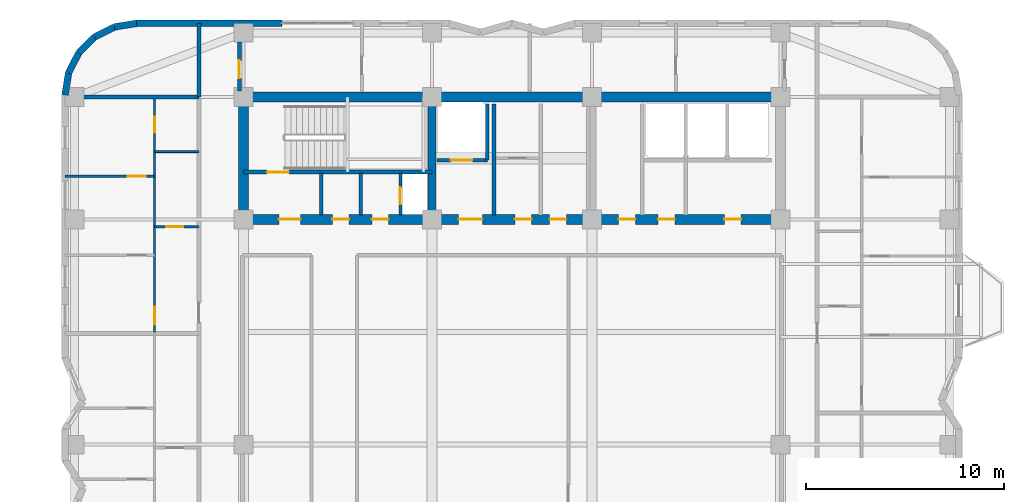
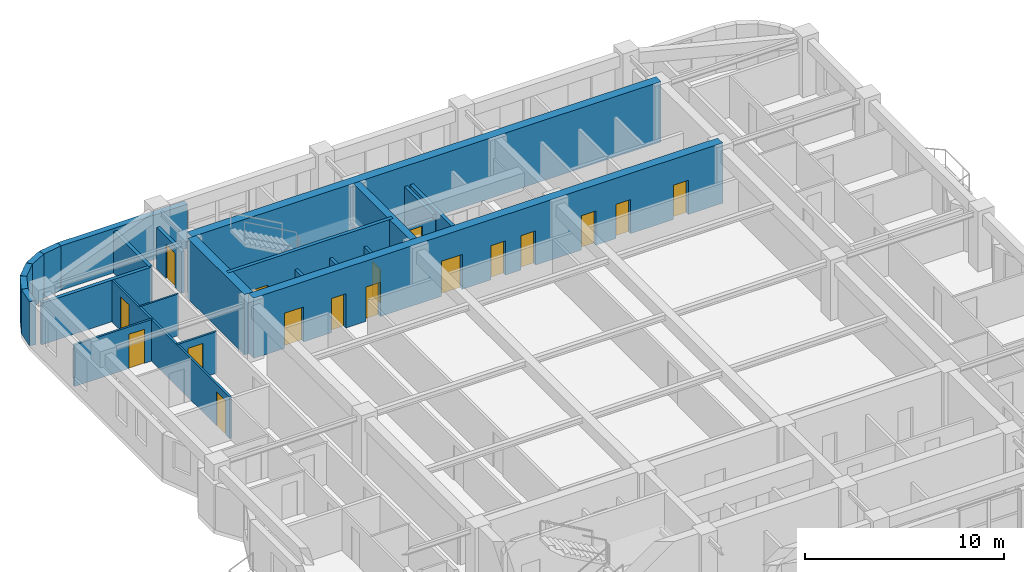
# One storey, part 8 of 12: 24 walls, 17 doors, 17 openings.
"""IFC4 building model written with IfcOpenShell, lengths in metres."""

import ifcopenshell
import ifcopenshell.guid

model = None  # the IFC model being written
_history = None  # IfcOwnerHistory: only IFC2X3 demands one
_inside = {}  # id of a spatial element -> (the spatial element, [elements in it])
_under = {}  # id of a project, library or spatial element -> (it, [spatial elements below it])
_declared = {}  # id of a project -> (the project, [libraries it declares])
_typed = {}  # id of a type object -> (the type object, [elements of that type])
_made_of = {}  # id of a material, layer set ... -> (it, [elements and type objects made of it])


def new_model(schema):
    """Start an empty IFC model of exactly this schema.

    Asked for "IFC4X3", IfcOpenShell would pick the latest addendum, in which some entities
    have other attributes; the version numbers below select the first issue.
    IFC2X3 requires an IfcOwnerHistory on every rooted entity: one is made here for all.
    """
    global model, _history
    if schema == "IFC4X3":
        model = ifcopenshell.file(schema_version=(4, 3, 0, 0))
    else:
        model = ifcopenshell.file(schema=schema)
    _inside.clear()
    _under.clear()
    _declared.clear()
    _typed.clear()
    _made_of.clear()
    _history = None
    if model.schema == "IFC2X3":
        org = make("IfcOrganization", Name="unknown")
        user = make(
            "IfcPersonAndOrganization",
            ThePerson=make("IfcPerson", FamilyName="unknown"),
            TheOrganization=org,
        )
        app = make(
            "IfcApplication",
            ApplicationDeveloper=org,
            Version="unknown",
            ApplicationFullName="unknown",
            ApplicationIdentifier="unknown",
        )
        _history = make(
            "IfcOwnerHistory",
            OwningUser=user,
            OwningApplication=app,
            ChangeAction="ADDED",
            CreationDate=0,
        )
    return model


def make(cls, **values):
    """One entity of the class cls with the attributes given. An attribute that is None is left unset."""
    return model.create_entity(
        cls, **{name: value for name, value in values.items() if value is not None}
    )


def rooted(cls, **values):
    """An entity with a GlobalId (a new one), such as an element, a storey or a relation."""
    return make(cls, GlobalId=ifcopenshell.guid.new(), OwnerHistory=_history, **values)


def si_unit(unit_type, name, prefix=None):
    """IfcSIUnit, for example si_unit("LENGTHUNIT", "METRE", prefix="MILLI")."""
    return make("IfcSIUnit", UnitType=unit_type, Prefix=prefix, Name=name)


def assignment(units):
    """IfcUnitAssignment: the units of a project."""
    return None if units is None else make("IfcUnitAssignment", Units=units)


def point(xyz):
    """IfcCartesianPoint."""
    return None if xyz is None else make("IfcCartesianPoint", Coordinates=xyz)


def direction(xyz):
    """IfcDirection."""
    return None if xyz is None else make("IfcDirection", DirectionRatios=xyz)


def frame(location, z_axis=None, x_axis=None):
    """IfcAxis2Placement3D, a coordinate frame: its origin and axes. An axis left out is left unset."""
    return make(
        "IfcAxis2Placement3D",
        Location=point(location),
        Axis=direction(z_axis),
        RefDirection=direction(x_axis),
    )


def frame_2d(location, x_axis=None):
    """IfcAxis2Placement2D, a coordinate frame in the plane: its origin and x axis."""
    return make(
        "IfcAxis2Placement2D", Location=point(location), RefDirection=direction(x_axis)
    )


def origin():
    """The frame at (0, 0, 0) with its axes left unset."""
    return frame((0.0, 0.0, 0.0))


def place(relative_to, where):
    """IfcLocalPlacement: puts the frame where relative to a parent placement (None: the world)."""
    return make(
        "IfcLocalPlacement", PlacementRelTo=relative_to, RelativePlacement=where
    )


def context(
    kind, dimensions, precision=None, world=None, true_north=None, identifier=None
):
    """IfcGeometricRepresentationContext, for example the 3D "Model" context."""
    return make(
        "IfcGeometricRepresentationContext",
        ContextIdentifier=identifier,
        ContextType=kind,
        CoordinateSpaceDimension=dimensions,
        Precision=precision,
        WorldCoordinateSystem=world,
        TrueNorth=true_north,
    )


def subcontext(parent, identifier, kind, view, scale=None):
    """IfcGeometricRepresentationSubContext, for example "Body" below "Model"."""
    return make(
        "IfcGeometricRepresentationSubContext",
        ContextIdentifier=identifier,
        ContextType=kind,
        ParentContext=parent,
        TargetScale=scale,
        TargetView=view,
    )


def project(units=None, contexts=None):
    """IfcProject with its units and contexts."""
    return rooted(
        "IfcProject",
        Name="project",
        RepresentationContexts=contexts,
        UnitsInContext=assignment(units),
    )


def spatial(cls, under=None, at=None, **own):
    """A site, building, storey or space (cls), placed at a placement, below another one or the project."""
    s = rooted(cls, ObjectPlacement=at, **own)
    if under is not None:
        _under.setdefault(under.id(), (under, []))[1].append(s)
    return s


def profile(cls, at=None, kind="AREA", **sizes):
    """A parametric profile (cls). Its sizes go by their IFC names, for example OverallWidth=200.0."""
    return make(cls, ProfileType=kind, Position=at, **sizes)


def rectangle(**sizes):
    """IfcRectangleProfileDef."""
    return profile("IfcRectangleProfileDef", **sizes)


def extrude(swept, where, along, depth):
    """IfcExtrudedAreaSolid: the profile swept, set in the frame where, extruded along a direction by depth."""
    return make(
        "IfcExtrudedAreaSolid",
        SweptArea=swept,
        Position=where,
        ExtrudedDirection=direction(along),
        Depth=depth,
    )


def shape(context_of_items, identifier, shape_type, items):
    """IfcShapeRepresentation: the items that make up one representation, for example the "Body"."""
    return make(
        "IfcShapeRepresentation",
        ContextOfItems=context_of_items,
        RepresentationIdentifier=identifier,
        RepresentationType=shape_type,
        Items=items,
    )


def material(Name=None, Category=None):
    """IfcMaterial."""
    return make("IfcMaterial", Name=Name, Category=Category)


def layer(
    of_material, thickness, ventilated=None, Name=None, Category=None, Priority=None
):
    """IfcMaterialLayer: one layer of a wall or slab, of a material (None: an air gap)."""
    return make(
        "IfcMaterialLayer",
        Material=of_material,
        LayerThickness=thickness,
        IsVentilated=ventilated,
        Name=Name,
        Category=Category,
        Priority=Priority,
    )


def layer_set(layers, Name=None):
    """IfcMaterialLayerSet."""
    return make("IfcMaterialLayerSet", MaterialLayers=layers, LayerSetName=Name)


def made_of(thing, what):
    """Note that an element or type object is made of a material, layer set ...; save() writes the relation."""
    if what is not None:
        _made_of.setdefault(what.id(), (what, []))[1].append(thing)
    return thing


def type_object(cls, material=None, **own):
    """A type object (cls), such as IfcWallType, which elements share."""
    return made_of(rooted(cls, **own), material)


def element(
    cls,
    number,
    at=None,
    inside=None,
    cuts=None,
    type_object=None,
    material=None,
    context=None,
    identifier="Body",
    shape_type=None,
    held_by="IfcProductDefinitionShape",
    body=None,
    shapes=None,
    **own,
):
    """One element of the class cls, such as IfcWall. Its Tag is "e" and its number.

    at: its placement. inside: the storey or other place that contains it. cuts: it is an
    opening in that element (IfcRelVoidsElement). A single representation is given by context,
    identifier, shape_type and body (its items); several are given by shapes. held_by: the class
    of the entity that holds the representations. save() writes the other relations.
    """
    e = rooted(cls, Tag="e%d" % number, ObjectPlacement=at, **own)
    if body is not None:
        shapes = [shape(context, identifier, shape_type, body)]
    if shapes is not None:
        e.Representation = make(held_by, Representations=shapes)
    if inside is not None:
        _inside.setdefault(inside.id(), (inside, []))[1].append(e)
    if cuts is not None:
        rooted(
            "IfcRelVoidsElement", RelatingBuildingElement=cuts, RelatedOpeningElement=e
        )
    if type_object is not None:
        _typed.setdefault(type_object.id(), (type_object, []))[1].append(e)
    return made_of(e, material)


def fill(opening, filler):
    """IfcRelFillsElement: the door or window that sits in an opening."""
    return rooted(
        "IfcRelFillsElement",
        RelatingOpeningElement=opening,
        RelatedBuildingElement=filler,
    )


def aggregate(whole, parts):
    """IfcRelAggregates: a whole, such as a stair, and the parts it consists of."""
    return rooted("IfcRelAggregates", RelatingObject=whole, RelatedObjects=parts)


def save(model, path):
    """Write the relations noted so far, then the file.

    IfcRelAggregates (storeys below a building ...), IfcRelContainedInSpatialStructure (elements
    in a storey), IfcRelDefinesByType, IfcRelAssociatesMaterial and IfcRelDeclares: one each for
    every whole, place, type object, material and project.
    """
    for whole, parts in _under.values():
        aggregate(whole, parts)
    for where, things in _inside.values():
        rooted(
            "IfcRelContainedInSpatialStructure",
            RelatedElements=things,
            RelatingStructure=where,
        )
    for kind, things in _typed.values():
        rooted("IfcRelDefinesByType", RelatedObjects=things, RelatingType=kind)
    for what, things in _made_of.values():
        rooted("IfcRelAssociatesMaterial", RelatedObjects=things, RelatingMaterial=what)
    for by, libraries in _declared.values():
        rooted("IfcRelDeclares", RelatingContext=by, RelatedDefinitions=libraries)
    model.write(path)


model = new_model("IFC4")

# Units and contexts
model_context = context("Model", 3, precision=1e-05, world=origin(), true_north=direction((0.0, 1.0)))
body_context = subcontext(model_context, "Body", "Model", "MODEL_VIEW")
ifc_project = project(units=[si_unit("LENGTHUNIT", "METRE"), si_unit("AREAUNIT", "SQUARE_METRE"), si_unit("VOLUMEUNIT", "CUBIC_METRE"), si_unit("PLANEANGLEUNIT", "RADIAN"), si_unit("MASSUNIT", "GRAM", prefix="KILO")], contexts=[model_context])

# Site, building, storey
site_placement = place(None, origin())
site = spatial("IfcSite", under=ifc_project, at=site_placement, CompositionType="ELEMENT")
building_placement = place(site_placement, origin())
building = spatial("IfcBuilding", under=site, at=building_placement, Name="Svetorya Sky Lyceum", CompositionType="ELEMENT")
storey_placement = place(building_placement, frame((0.0, 0.0, 158.89990234375)))
storey = spatial("IfcBuildingStorey", under=building, at=storey_placement, Name="L39", CompositionType="ELEMENT", Elevation=158.89990234375)

# Walls
ifc_material_1 = material(Name="Concrete C40/50", Category="concrete")
ifc_layer_1 = layer(ifc_material_1, 0.39990234375)
ifc_layer_set_1 = layer_set([ifc_layer_1], Name="Concrete C40/50")
wall_type_1 = type_object("IfcWallType", Name="WL-CORE-400", PredefinedType="SHEAR", material=ifc_layer_set_1)
wall_1_placement = place(storey_placement, frame((35.14990234375, 39.85009765625, 0.0), z_axis=(0.0, 0.0, 1.0), x_axis=(0.0, 1.0, 0.0)))
element("IfcWall", 1, at=wall_1_placement, inside=storey, type_object=wall_type_1, Name="L39 NC Internal Shear Web WEB1", PredefinedType="SHEAR", context=body_context, shape_type="SweptSolid", body=[
    extrude(rectangle(XDim=5.699951171875, YDim=0.39990234375, at=frame_2d((2.85009765625, 0.0))), origin(), (0.0, 0.0, 1.0), 3.7001953125),
])
ifc_material_2 = material(Name="Concrete C50/60", Category="concrete")
ifc_layer_2 = layer(ifc_material_2, 0.5)
ifc_layer_set_2 = layer_set([ifc_layer_2], Name="Concrete C50/60")
wall_type_2 = type_object("IfcWallType", Name="WL-CORE-500", PredefinedType="SHEAR", material=ifc_layer_set_2)
wall_2_placement = place(storey_placement, frame((25.60009765625, 45.800048828125, 0.0), z_axis=(0.0, 0.0, 1.0), x_axis=(1.0, 0.0, 0.0)))
element("IfcWall", 2, at=wall_2_placement, inside=storey, type_object=wall_type_2, Name="L39 NC Outer Core Shear Wall", PredefinedType="SHEAR", context=body_context, shape_type="SweptSolid", body=[
    extrude(rectangle(XDim=27.199951171875, YDim=0.5, at=frame_2d((13.60009765625, 0.0))), origin(), (0.0, 0.0, 1.0), 3.7001953125),
])
wall_3_placement = place(storey_placement, frame((25.60009765625, 39.85009765625, 0.0), z_axis=(0.0, 0.0, 1.0), x_axis=(0.0, 1.0, 0.0)))
element("IfcWall", 3, at=wall_3_placement, inside=storey, type_object=wall_type_2, Name="L39 NC West Core Shear Wall", PredefinedType="SHEAR", context=body_context, shape_type="SweptSolid", body=[
    extrude(rectangle(XDim=5.699951171875, YDim=0.5, at=frame_2d((2.85009765625, 0.0))), origin(), (0.0, 0.0, 1.0), 3.7001953125),
])

# Wall, openings, doors
wall_4_placement = place(storey_placement, frame((52.800048828125, 39.60009765625, 0.0), z_axis=(0.0, 0.0, 1.0), x_axis=(-1.0, 0.0, 0.0)))
wall_4 = element("IfcWall", 4, at=wall_4_placement, inside=storey, type_object=wall_type_2, Name="L39 NC Inner Core Shear Wall", PredefinedType="SHEAR", context=body_context, shape_type="SweptSolid", body=[
    extrude(rectangle(XDim=27.199951171875, YDim=0.5, at=frame_2d((13.60009765625, 0.0))), origin(), (0.0, 0.0, 1.0), 3.7001953125),
])
opening_1_placement = place(wall_4_placement, frame((24.300048828125, 0.0, 0.0)))
opening_1 = element("IfcOpeningElement", 5, at=opening_1_placement, cuts=wall_4, Name="Opening D-ST1", PredefinedType="OPENING", context=body_context, shape_type="SweptSolid", body=[
    extrude(rectangle(XDim=1.10009765625, YDim=2.14990234375, at=frame_2d((0.550048828125, 1.074951171875))), frame((0.0, 0.260009765625, 0.0), z_axis=(0.0, -1.0, 0.0), x_axis=(1.0, 0.0, 0.0)), (0.0, 0.0, 1.0), 0.52001953125),
])
opening_2_placement = place(wall_4_placement, frame((21.85009765625, 0.0, 0.0)))
opening_2 = element("IfcOpeningElement", 6, at=opening_2_placement, cuts=wall_4, Name="Opening D-CWC1", PredefinedType="OPENING", context=body_context, shape_type="SweptSolid", body=[
    extrude(rectangle(XDim=0.85009765625, YDim=2.10009765625, at=frame_2d((0.425048828125, 1.050048828125))), frame((0.0, 0.260009765625, 0.0), z_axis=(0.0, -1.0, 0.0), x_axis=(1.0, 0.0, 0.0)), (0.0, 0.0, 1.0), 0.52001953125),
])
opening_3_placement = place(wall_4_placement, frame((19.85009765625, 0.0, 0.0)))
opening_3 = element("IfcOpeningElement", 7, at=opening_3_placement, cuts=wall_4, Name="Opening D-CWC1", PredefinedType="OPENING", context=body_context, shape_type="SweptSolid", body=[
    extrude(rectangle(XDim=0.85009765625, YDim=2.10009765625, at=frame_2d((0.425048828125, 1.050048828125))), frame((0.0, 0.260009765625, 0.0), z_axis=(0.0, -1.0, 0.0), x_axis=(1.0, 0.0, 0.0)), (0.0, 0.0, 1.0), 0.52001953125),
])
opening_4_placement = place(wall_4_placement, frame((15.10009765625, 0.0, 0.0)))
opening_4 = element("IfcOpeningElement", 8, at=opening_4_placement, cuts=wall_4, Name="Opening D-FL1", PredefinedType="OPENING", context=body_context, shape_type="SweptSolid", body=[
    extrude(rectangle(XDim=1.199951171875, YDim=2.14990234375, at=frame_2d((0.60009765625, 1.074951171875))), frame((0.0, 0.260009765625, 0.0), z_axis=(0.0, -1.0, 0.0), x_axis=(1.0, 0.0, 0.0)), (0.0, 0.0, 1.0), 0.52001953125),
])
opening_5_placement = place(wall_4_placement, frame((12.60009765625, 0.0, 0.0)))
opening_5 = element("IfcOpeningElement", 9, at=opening_5_placement, cuts=wall_4, Name="Opening D-CWC1", PredefinedType="OPENING", context=body_context, shape_type="SweptSolid", body=[
    extrude(rectangle(XDim=0.85009765625, YDim=2.10009765625, at=frame_2d((0.425048828125, 1.050048828125))), frame((0.0, 0.260009765625, 0.0), z_axis=(0.0, -1.0, 0.0), x_axis=(1.0, 0.0, 0.0)), (0.0, 0.0, 1.0), 0.52001953125),
])
opening_6_placement = place(wall_4_placement, frame((10.85009765625, 0.0, 0.0)))
opening_6 = element("IfcOpeningElement", 10, at=opening_6_placement, cuts=wall_4, Name="Opening D-CWC1", PredefinedType="OPENING", context=body_context, shape_type="SweptSolid", body=[
    extrude(rectangle(XDim=0.85009765625, YDim=2.10009765625, at=frame_2d((0.425048828125, 1.050048828125))), frame((0.0, 0.260009765625, 0.0), z_axis=(0.0, -1.0, 0.0), x_axis=(1.0, 0.0, 0.0)), (0.0, 0.0, 1.0), 0.52001953125),
])
opening_7_placement = place(wall_4_placement, frame((7.35009765625, 0.0, 0.0)))
opening_7 = element("IfcOpeningElement", 11, at=opening_7_placement, cuts=wall_4, Name="Opening D-CWC1", PredefinedType="OPENING", context=body_context, shape_type="SweptSolid", body=[
    extrude(rectangle(XDim=0.85009765625, YDim=2.10009765625, at=frame_2d((0.425048828125, 1.050048828125))), frame((0.0, 0.260009765625, 0.0), z_axis=(0.0, -1.0, 0.0), x_axis=(1.0, 0.0, 0.0)), (0.0, 0.0, 1.0), 0.52001953125),
])
opening_8_placement = place(wall_4_placement, frame((5.35009765625, 0.0, 0.0)))
opening_8 = element("IfcOpeningElement", 12, at=opening_8_placement, cuts=wall_4, Name="Opening D-CWC1", PredefinedType="OPENING", context=body_context, shape_type="SweptSolid", body=[
    extrude(rectangle(XDim=0.85009765625, YDim=2.10009765625, at=frame_2d((0.425048828125, 1.050048828125))), frame((0.0, 0.260009765625, 0.0), z_axis=(0.0, -1.0, 0.0), x_axis=(1.0, 0.0, 0.0)), (0.0, 0.0, 1.0), 0.52001953125),
])
opening_9_placement = place(wall_4_placement, frame((2.0, 0.0, 0.0)))
opening_9 = element("IfcOpeningElement", 13, at=opening_9_placement, cuts=wall_4, Name="Opening D-CWC1", PredefinedType="OPENING", context=body_context, shape_type="SweptSolid", body=[
    extrude(rectangle(XDim=0.85009765625, YDim=2.10009765625, at=frame_2d((0.425048828125, 1.050048828125))), frame((0.0, 0.260009765625, 0.0), z_axis=(0.0, -1.0, 0.0), x_axis=(1.0, 0.0, 0.0)), (0.0, 0.0, 1.0), 0.52001953125),
])
ifc_material_3 = material(Name="Fire-rated galvanized steel core service closet door", Category="steel")
door_type_1 = type_object("IfcDoorType", Name="DR-CWET-850", OperationType="SINGLE_SWING_LEFT", PredefinedType="DOOR", material=ifc_material_3)
door_1_placement = place(opening_2_placement, origin())
door_1 = element("IfcDoor", 14, at=door_1_placement, inside=storey, type_object=door_type_1, Name="L39 North Cleaner Door", OperationType="SINGLE_SWING_RIGHT", OverallHeight=2.10009765625, OverallWidth=0.85009765625, PredefinedType="DOOR", context=body_context, shape_type="SweptSolid", body=[
    extrude(rectangle(XDim=0.85009765625, YDim=2.10009765625, at=frame_2d((0.425048828125, 1.050048828125))), frame((0.0, 0.02490234375, 0.0), z_axis=(0.0, -1.0, 0.0), x_axis=(1.0, 0.0, 0.0)), (0.0, 0.0, 1.0), 0.050048828125),
])
fill(opening_2, door_1)
door_2_placement = place(opening_3_placement, origin())
door_2 = element("IfcDoor", 15, at=door_2_placement, inside=storey, type_object=door_type_1, Name="L39 North Meter Door", OperationType="SINGLE_SWING_LEFT", OverallHeight=2.10009765625, OverallWidth=0.85009765625, PredefinedType="DOOR", context=body_context, shape_type="SweptSolid", body=[
    extrude(rectangle(XDim=0.85009765625, YDim=2.10009765625, at=frame_2d((0.425048828125, 1.050048828125))), frame((0.0, 0.02490234375, 0.0), z_axis=(0.0, -1.0, 0.0), x_axis=(1.0, 0.0, 0.0)), (0.0, 0.0, 1.0), 0.050048828125),
])
fill(opening_3, door_2)
door_3_placement = place(opening_5_placement, origin())
door_3 = element("IfcDoor", 16, at=door_3_placement, inside=storey, type_object=door_type_1, Name="L39 Cleaner Vestibule Door", OperationType="SINGLE_SWING_LEFT", OverallHeight=2.10009765625, OverallWidth=0.85009765625, PredefinedType="DOOR", context=body_context, shape_type="SweptSolid", body=[
    extrude(rectangle(XDim=0.85009765625, YDim=2.10009765625, at=frame_2d((0.425048828125, 1.050048828125))), frame((0.0, 0.02490234375, 0.0), z_axis=(0.0, -1.0, 0.0), x_axis=(1.0, 0.0, 0.0)), (0.0, 0.0, 1.0), 0.050048828125),
])
fill(opening_5, door_3)
door_4_placement = place(opening_6_placement, origin())
door_4 = element("IfcDoor", 17, at=door_4_placement, inside=storey, type_object=door_type_1, Name="L39 Upper Pram Store Door", OperationType="SINGLE_SWING_RIGHT", OverallHeight=2.10009765625, OverallWidth=0.85009765625, PredefinedType="DOOR", context=body_context, shape_type="SweptSolid", body=[
    extrude(rectangle(XDim=0.85009765625, YDim=2.10009765625, at=frame_2d((0.425048828125, 1.050048828125))), frame((0.0, 0.02490234375, 0.0), z_axis=(0.0, -1.0, 0.0), x_axis=(1.0, 0.0, 0.0)), (0.0, 0.0, 1.0), 0.050048828125),
])
fill(opening_6, door_4)
door_5_placement = place(opening_7_placement, origin())
door_5 = element("IfcDoor", 18, at=door_5_placement, inside=storey, type_object=door_type_1, Name="L39 High-Zone Utility Room Door", OperationType="SINGLE_SWING_LEFT", OverallHeight=2.10009765625, OverallWidth=0.85009765625, PredefinedType="DOOR", context=body_context, shape_type="SweptSolid", body=[
    extrude(rectangle(XDim=0.85009765625, YDim=2.10009765625, at=frame_2d((0.425048828125, 1.050048828125))), frame((0.0, 0.02490234375, 0.0), z_axis=(0.0, -1.0, 0.0), x_axis=(1.0, 0.0, 0.0)), (0.0, 0.0, 1.0), 0.050048828125),
])
fill(opening_7, door_5)
door_6_placement = place(opening_8_placement, origin())
door_6 = element("IfcDoor", 19, at=door_6_placement, inside=storey, type_object=door_type_1, Name="L39 North Electrical Door", OperationType="SINGLE_SWING_LEFT", OverallHeight=2.10009765625, OverallWidth=0.85009765625, PredefinedType="DOOR", context=body_context, shape_type="SweptSolid", body=[
    extrude(rectangle(XDim=0.85009765625, YDim=2.10009765625, at=frame_2d((0.425048828125, 1.050048828125))), frame((0.0, 0.02490234375, 0.0), z_axis=(0.0, -1.0, 0.0), x_axis=(1.0, 0.0, 0.0)), (0.0, 0.0, 1.0), 0.050048828125),
])
fill(opening_8, door_6)
door_7_placement = place(opening_9_placement, origin())
door_7 = element("IfcDoor", 20, at=door_7_placement, inside=storey, type_object=door_type_1, Name="L39 North Pram Door", OperationType="SINGLE_SWING_RIGHT", OverallHeight=2.10009765625, OverallWidth=0.85009765625, PredefinedType="DOOR", context=body_context, shape_type="SweptSolid", body=[
    extrude(rectangle(XDim=0.85009765625, YDim=2.10009765625, at=frame_2d((0.425048828125, 1.050048828125))), frame((0.0, 0.02490234375, 0.0), z_axis=(0.0, -1.0, 0.0), x_axis=(1.0, 0.0, 0.0)), (0.0, 0.0, 1.0), 0.050048828125),
])
fill(opening_9, door_7)
ifc_material_4 = material(Name="Powder-coated insulated galvanized stair fire door")
door_type_2 = type_object("IfcDoorType", Name="DR-FIRE-1100", OperationType="SINGLE_SWING_LEFT", PredefinedType="DOOR", material=ifc_material_4)
door_8_placement = place(opening_1_placement, origin())
door_8 = element("IfcDoor", 21, at=door_8_placement, inside=storey, type_object=door_type_2, Name="L39 North Stair Airlock Door", OperationType="SINGLE_SWING_LEFT", OverallHeight=2.14990234375, OverallWidth=1.10009765625, PredefinedType="DOOR", context=body_context, shape_type="SweptSolid", body=[
    extrude(rectangle(XDim=1.10009765625, YDim=2.14990234375, at=frame_2d((0.550048828125, 1.074951171875))), frame((0.0, 0.02490234375, 0.0), z_axis=(0.0, -1.0, 0.0), x_axis=(1.0, 0.0, 0.0)), (0.0, 0.0, 1.0), 0.050048828125),
])
fill(opening_1, door_8)
ifc_material_5 = material(Name="Powder-coated insulated galvanized fire door")
door_type_3 = type_object("IfcDoorType", Name="DR-FIRE-1200", OperationType="SINGLE_SWING_LEFT", PredefinedType="DOOR", material=ifc_material_5)
door_9_placement = place(opening_4_placement, origin())
door_9 = element("IfcDoor", 22, at=door_9_placement, inside=storey, type_object=door_type_3, Name="L39 North Firefighting Lift Lobby Door", OperationType="SINGLE_SWING_RIGHT", OverallHeight=2.14990234375, OverallWidth=1.199951171875, PredefinedType="DOOR", context=body_context, shape_type="SweptSolid", body=[
    extrude(rectangle(XDim=1.199951171875, YDim=2.14990234375, at=frame_2d((0.60009765625, 1.074951171875))), frame((0.0, 0.02490234375, 0.0), z_axis=(0.0, -1.0, 0.0), x_axis=(1.0, 0.0, 0.0)), (0.0, 0.0, 1.0), 0.050048828125),
])
fill(opening_4, door_9)

# Walls
ifc_material_6 = material(Name="Putilovo limestone rainscreen on autoclaved cellular masonry", Category="masonry")
ifc_layer_3 = layer(ifc_material_6, 0.340087890625)
ifc_layer_set_3 = layer_set([ifc_layer_3], Name="Putilovo limestone rainscreen on autoclaved cellular masonry")
wall_type_3 = type_object("IfcWallType", Name="WL-EXT-340", PredefinedType="SOLIDWALL", material=ifc_layer_set_3)
wall_5_placement = place(storey_placement, frame((27.550048828125, 49.530029296875, 0.0), z_axis=(0.0, 0.0, 1.0), x_axis=(-1.0, 0.0, 0.0)))
element("IfcWall", 23, at=wall_5_placement, inside=storey, type_object=wall_type_3, Name="L39 Limestone Exterior Wall 34B", PredefinedType="SOLIDWALL", context=body_context, shape_type="SweptSolid", body=[
    extrude(rectangle(XDim=7.35009765625, YDim=0.340087890625, at=frame_2d((3.675048828125, 0.0))), origin(), (0.0, 0.0, 1.0), 2.72021484375),
])
wall_6_placement = place(storey_placement, frame((20.199951171875, 49.530029296875, 0.0), z_axis=(0.0, 0.0, 1.0), x_axis=(-0.987675651954, -0.156514556949, 0.0)))
element("IfcWall", 24, at=wall_6_placement, inside=storey, type_object=wall_type_3, Name="L39 Limestone Exterior Wall 35M", PredefinedType="SOLIDWALL", context=body_context, shape_type="SweptSolid", body=[
    extrude(rectangle(XDim=1.135498046875, YDim=0.340087890625, at=frame_2d((0.56787109375, 0.0))), origin(), (0.0, 0.0, 1.0), 2.72021484375),
])
for number, where, z_axis, x_axis, name in (
    (25, (19.078369140625, 49.352294921875, 0.0), (0.0, 0.0, 1.0), (-0.891005044957, -0.453993402883, 0.0), "L39 Limestone Exterior Wall 36M"),
    (26, (18.06640625, 48.836669921875, 0.0), (0.0, 0.0, 1.0), (-0.707214252388, -0.706999293649, 0.0), "L39 Limestone Exterior Wall 37M"),
    (27, (17.26318359375, 48.03369140625, 0.0), (0.0, 0.0, 1.0), (-0.453822724105, -0.891091990249, 0.0), "L39 Limestone Exterior Wall 38M"),
    (28, (16.747802734375, 47.021728515625, 0.0), (0.0, 0.0, 1.0), (-0.156481329164, -0.987680916907, 0.0), "L39 Limestone Exterior Wall 39M"),
):
    element("IfcWall", number, at=place(storey_placement, frame(where, z_axis=z_axis, x_axis=x_axis)), inside=storey, type_object=wall_type_3, Name=name, PredefinedType="SOLIDWALL", context=body_context, shape_type="SweptSolid", body=[
        extrude(rectangle(XDim=1.1357421875, YDim=0.340087890625, at=frame_2d((0.56787109375, 0.0))), origin(), (0.0, 0.0, 1.0), 2.72021484375),
    ])
ifc_material_7 = material(Name="Galvanized stud partition with moisture-resistant board", Category="gypsum")
ifc_layer_4 = layer(ifc_material_7, 0.10009765625)
ifc_layer_set_4 = layer_set([ifc_layer_4], Name="Galvanized stud partition with moisture-resistant board")
wall_type_4 = type_object("IfcWallType", Name="WL-PART-100", PredefinedType="PARTITIONING", material=ifc_layer_set_4)
wall_7_placement = place(storey_placement, frame((21.10009765625, 43.031982421875, 0.0), z_axis=(0.0, 0.0, 1.0), x_axis=(1.0, 0.0, 0.0)))
element("IfcWall", 29, at=wall_7_placement, inside=storey, type_object=wall_type_4, Name="L39 Interior Partition W3-WH2", PredefinedType="PARTITIONING", context=body_context, shape_type="SweptSolid", body=[
    extrude(rectangle(XDim=2.25, YDim=0.10009765625, at=frame_2d((1.125, 0.0))), origin(), (0.0, 0.0, 1.0), 2.550048828125),
])

# Wall, opening, door
ifc_material_8 = material(Name="Twin-stud galvanized framing with double fireboard", Category="gypsum")
ifc_layer_5 = layer(ifc_material_8, 0.1201171875)
ifc_layer_set_5 = layer_set([ifc_layer_5], Name="Twin-stud galvanized framing with double fireboard")
wall_type_5 = type_object("IfcWallType", Name="WL-PART-120", PredefinedType="PARTITIONING", material=ifc_layer_set_5)
wall_8_placement = place(storey_placement, frame((21.10009765625, 39.23193359375, 0.0), z_axis=(0.0, 0.0, 1.0), x_axis=(1.0, 0.0, 0.0)))
wall_8 = element("IfcWall", 30, at=wall_8_placement, inside=storey, type_object=wall_type_5, Name="L39 Interior Partition W3-WH1", PredefinedType="PARTITIONING", context=body_context, shape_type="SweptSolid", body=[
    extrude(rectangle(XDim=2.25, YDim=0.1201171875, at=frame_2d((1.125, 0.0))), origin(), (0.0, 0.0, 1.0), 2.550048828125),
])
opening_10_placement = place(wall_8_placement, frame((0.60009765625, 0.0, 0.0)))
opening_10 = element("IfcOpeningElement", 31, at=opening_10_placement, cuts=wall_8, Name="Opening D-BT1", PredefinedType="OPENING", context=body_context, shape_type="SweptSolid", body=[
    extrude(rectangle(XDim=0.85009765625, YDim=2.10009765625, at=frame_2d((0.425048828125, 1.050048828125))), frame((0.0, 0.070068359375, 0.0), z_axis=(0.0, -1.0, 0.0), x_axis=(1.0, 0.0, 0.0)), (0.0, 0.0, 1.0), 0.14013671875),
])
ifc_material_9 = material(Name="Moisture-resistant laminate bathroom door")
door_type_4 = type_object("IfcDoorType", Name="DR-WET-850", OperationType="SINGLE_SWING_LEFT", PredefinedType="DOOR", material=ifc_material_9)
door_10_placement = place(opening_10_placement, origin())
door_10 = element("IfcDoor", 32, at=door_10_placement, inside=storey, type_object=door_type_4, Name="Apartment W3 Bathroom Door", OperationType="SINGLE_SWING_LEFT", OverallHeight=2.10009765625, OverallWidth=0.85009765625, PredefinedType="DOOR", context=body_context, shape_type="SweptSolid", body=[
    extrude(rectangle(XDim=0.85009765625, YDim=2.10009765625, at=frame_2d((0.425048828125, 1.050048828125))), frame((0.0, 0.02490234375, 0.0), z_axis=(0.0, -1.0, 0.0), x_axis=(1.0, 0.0, 0.0)), (0.0, 0.0, 1.0), 0.050048828125),
])
fill(opening_10, door_10)

wall_9_placement = place(storey_placement, frame((16.570068359375, 41.781982421875, 0.0), z_axis=(0.0, 0.0, 1.0), x_axis=(1.0, 0.0, 0.0)))
wall_9 = element("IfcWall", 33, at=wall_9_placement, inside=storey, type_object=wall_type_5, Name="L39 Interior Partition W3-WL2", PredefinedType="PARTITIONING", context=body_context, shape_type="SweptSolid", body=[
    extrude(rectangle(XDim=4.530029296875, YDim=0.1201171875, at=frame_2d((2.26513671875, 0.0))), origin(), (0.0, 0.0, 1.0), 2.550048828125),
])
opening_11_placement = place(wall_9_placement, frame((3.179931640625, 0.0, 0.0)))
opening_11 = element("IfcOpeningElement", 34, at=opening_11_placement, cuts=wall_9, Name="Opening D-RM1", PredefinedType="OPENING", context=body_context, shape_type="SweptSolid", body=[
    extrude(rectangle(XDim=0.89990234375, YDim=2.10009765625, at=frame_2d((0.449951171875, 1.050048828125))), frame((0.0, 0.070068359375, 0.0), z_axis=(0.0, -1.0, 0.0), x_axis=(1.0, 0.0, 0.0)), (0.0, 0.0, 1.0), 0.14013671875),
])
ifc_material_10 = material(Name="Lacquered birch veneer internal door")
door_type_5 = type_object("IfcDoorType", Name="DR-INT-900", OperationType="SINGLE_SWING_LEFT", PredefinedType="DOOR", material=ifc_material_10)
door_11_placement = place(opening_11_placement, origin())
door_11 = element("IfcDoor", 35, at=door_11_placement, inside=storey, type_object=door_type_5, Name="Apartment W3 Bedroom 2 Door", OperationType="SINGLE_SWING_RIGHT", OverallHeight=2.10009765625, OverallWidth=0.89990234375, PredefinedType="DOOR", context=body_context, shape_type="SweptSolid", body=[
    extrude(rectangle(XDim=0.89990234375, YDim=2.10009765625, at=frame_2d((0.449951171875, 1.050048828125))), frame((0.0, 0.02490234375, 0.0), z_axis=(0.0, -1.0, 0.0), x_axis=(1.0, 0.0, 0.0)), (0.0, 0.0, 1.0), 0.050048828125),
])
fill(opening_11, door_11)

# Wall, openings, doors
wall_10_placement = place(storey_placement, frame((21.10009765625, 33.8720703125, 0.0), z_axis=(0.0, 0.0, 1.0), x_axis=(0.0, 1.0, 0.0)))
wall_10 = element("IfcWall", 36, at=wall_10_placement, inside=storey, type_object=wall_type_5, Name="L39 Interior Partition W3-WV", PredefinedType="PARTITIONING", context=body_context, shape_type="SweptSolid", body=[
    extrude(rectangle(XDim=11.887939453125, YDim=0.1201171875, at=frame_2d((5.94384765625, 0.0))), origin(), (0.0, 0.0, 1.0), 2.550048828125),
])
opening_12_placement = place(wall_10_placement, frame((0.409912109375, 0.0, 0.0)))
opening_12 = element("IfcOpeningElement", 37, at=opening_12_placement, cuts=wall_10, Name="Opening D-RM1", PredefinedType="OPENING", context=body_context, shape_type="SweptSolid", body=[
    extrude(rectangle(XDim=0.89990234375, YDim=2.10009765625, at=frame_2d((0.449951171875, 1.050048828125))), frame((0.0, 0.070068359375, 0.0), z_axis=(0.0, -1.0, 0.0), x_axis=(1.0, 0.0, 0.0)), (0.0, 0.0, 1.0), 0.14013671875),
])
opening_13_placement = place(wall_10_placement, frame((10.118896484375, 0.0, 0.0)))
opening_13 = element("IfcOpeningElement", 38, at=opening_13_placement, cuts=wall_10, Name="Opening D-BT2", PredefinedType="OPENING", context=body_context, shape_type="SweptSolid", body=[
    extrude(rectangle(XDim=0.820068359375, YDim=2.080078125, at=frame_2d((0.41015625, 1.0400390625))), frame((0.0, 0.070068359375, 0.0), z_axis=(0.0, -1.0, 0.0), x_axis=(1.0, 0.0, 0.0)), (0.0, 0.0, 1.0), 0.14013671875),
])
door_12_placement = place(opening_12_placement, origin())
door_12 = element("IfcDoor", 39, at=door_12_placement, inside=storey, type_object=door_type_5, Name="Apartment W3 Living Door", OperationType="SINGLE_SWING_RIGHT", OverallHeight=2.10009765625, OverallWidth=0.89990234375, PredefinedType="DOOR", context=body_context, shape_type="SweptSolid", body=[
    extrude(rectangle(XDim=0.89990234375, YDim=2.10009765625, at=frame_2d((0.449951171875, 1.050048828125))), frame((0.0, 0.02490234375, 0.0), z_axis=(0.0, -1.0, 0.0), x_axis=(1.0, 0.0, 0.0)), (0.0, 0.0, 1.0), 0.050048828125),
])
fill(opening_12, door_12)
ifc_material_11 = material(Name="Compact moisture-resistant laminate closet door")
door_type_6 = type_object("IfcDoorType", Name="DR-WET-820", OperationType="SINGLE_SWING_LEFT", PredefinedType="DOOR", material=ifc_material_11)
door_13_placement = place(opening_13_placement, origin())
door_13 = element("IfcDoor", 40, at=door_13_placement, inside=storey, type_object=door_type_6, Name="Apartment W3 Study Door", OperationType="SINGLE_SWING_LEFT", OverallHeight=2.080078125, OverallWidth=0.820068359375, PredefinedType="DOOR", context=body_context, shape_type="SweptSolid", body=[
    extrude(rectangle(XDim=0.820068359375, YDim=2.080078125, at=frame_2d((0.41015625, 1.0400390625))), frame((0.0, 0.02490234375, 0.0), z_axis=(0.0, -1.0, 0.0), x_axis=(1.0, 0.0, 0.0)), (0.0, 0.0, 1.0), 0.050048828125),
])
fill(opening_13, door_13)

# Wall, opening, door
ifc_material_12 = material(Name="Autoclaved cellular masonry blockwork with acoustic render", Category="masonry")
ifc_layer_6 = layer(ifc_material_12, 0.14990234375)
ifc_layer_set_6 = layer_set([ifc_layer_6], Name="Autoclaved cellular masonry blockwork with acoustic render")
wall_type_6 = type_object("IfcWallType", Name="WL-PART-150", PredefinedType="PARTITIONING", material=ifc_layer_set_6)
wall_11_placement = place(storey_placement, frame((33.550048828125, 39.820068359375, 0.0), z_axis=(0.0, 0.0, 1.0), x_axis=(0.0, 1.0, 0.0)))
wall_11 = element("IfcWall", 41, at=wall_11_placement, inside=storey, type_object=wall_type_6, Name="L39 Interior Partition NC-RSRW", PredefinedType="PARTITIONING", context=body_context, shape_type="SweptSolid", body=[
    extrude(rectangle(XDim=2.1298828125, YDim=0.14990234375, at=frame_2d((1.06494140625, 0.0))), origin(), (0.0, 0.0, 1.0), 2.550048828125),
])
opening_14_placement = place(wall_11_placement, frame((0.550048828125, 0.0, 0.0)))
opening_14 = element("IfcOpeningElement", 42, at=opening_14_placement, cuts=wall_11, Name="Opening D-SH1", PredefinedType="OPENING", context=body_context, shape_type="SweptSolid", body=[
    extrude(rectangle(XDim=0.85009765625, YDim=2.050048828125, at=frame_2d((0.425048828125, 1.02490234375))), frame((0.0, 0.0849609375, 0.0), z_axis=(0.0, -1.0, 0.0), x_axis=(1.0, 0.0, 0.0)), (0.0, 0.0, 1.0), 0.169921875),
])
ifc_material_13 = material(Name="Insulated galvanized riser inspection fire door")
door_type_7 = type_object("IfcDoorType", Name="DR-SHFT-850", OperationType="SINGLE_SWING_LEFT", PredefinedType="TRAPDOOR", material=ifc_material_13)
door_14_placement = place(opening_14_placement, origin())
door_14 = element("IfcDoor", 43, at=door_14_placement, inside=storey, type_object=door_type_7, Name="L39 North Riser Access Door", OperationType="SINGLE_SWING_LEFT", OverallHeight=2.050048828125, OverallWidth=0.85009765625, PredefinedType="TRAPDOOR", context=body_context, shape_type="SweptSolid", body=[
    extrude(rectangle(XDim=0.85009765625, YDim=2.050048828125, at=frame_2d((0.425048828125, 1.02490234375))), frame((0.0, 0.02490234375, 0.0), z_axis=(0.0, -1.0, 0.0), x_axis=(1.0, 0.0, 0.0)), (0.0, 0.0, 1.0), 0.050048828125),
])
fill(opening_14, door_14)

# Walls
ifc_material_14 = material(Name="Autoclaved cellular masonry blockwork with fire render", Category="masonry")
ifc_layer_7 = layer(ifc_material_14, 0.175048828125)
ifc_layer_set_7 = layer_set([ifc_layer_7], Name="Autoclaved cellular masonry blockwork with fire render")
wall_type_7 = type_object("IfcWallType", Name="WL-PART-175", PredefinedType="PARTITIONING", material=ifc_layer_set_7)
for number, where, z_axis, x_axis, name in (
    (44, (29.550048828125, 39.820068359375, 0.0), (0.0, 0.0, 1.0), (0.0, 1.0, 0.0), "L39 Interior Partition NC-NWD1"),
    (45, (31.550048828125, 39.820068359375, 0.0), (0.0, 0.0, 1.0), (0.0, 1.0, 0.0), "L39 Interior Partition NC-NWD2"),
):
    element("IfcWall", number, at=place(storey_placement, frame(where, z_axis=z_axis, x_axis=x_axis)), inside=storey, type_object=wall_type_7, Name=name, PredefinedType="PARTITIONING", context=body_context, shape_type="SweptSolid", body=[
        extrude(rectangle(XDim=2.1298828125, YDim=0.175048828125, at=frame_2d((1.06494140625, 0.0))), origin(), (0.0, 0.0, 1.0), 2.550048828125),
    ])
wall_12_placement = place(storey_placement, frame((37.949951171875, 42.60009765625, 0.0), z_axis=(0.0, 0.0, 1.0), x_axis=(0.0, 1.0, 0.0)))
element("IfcWall", 46, at=wall_12_placement, inside=storey, type_object=wall_type_7, Name="L39 Interior Partition NC-FL1SIDE", PredefinedType="PARTITIONING", context=body_context, shape_type="SweptSolid", body=[
    extrude(rectangle(XDim=2.849853515625, YDim=0.175048828125, at=frame_2d((1.4248046875, 0.0))), origin(), (0.0, 0.0, 1.0), 2.550048828125),
])

# Wall, opening, door
ifc_material_15 = material(Name="Autoclaved cellular masonry blockwork with gypsum plaster", Category="masonry")
ifc_layer_8 = layer(ifc_material_15, 0.199951171875)
ifc_layer_set_8 = layer_set([ifc_layer_8], Name="Autoclaved cellular masonry blockwork with gypsum plaster")
wall_type_8 = type_object("IfcWallType", Name="WL-PART-200", PredefinedType="PARTITIONING", material=ifc_layer_set_8)
wall_13_placement = place(storey_placement, frame((37.949951171875, 42.60009765625, 0.0), z_axis=(0.0, 0.0, 1.0), x_axis=(-1.0, 0.0, 0.0)))
wall_13 = element("IfcWall", 47, at=wall_13_placement, inside=storey, type_object=wall_type_8, Name="L39 Interior Partition NC-FL1W", PredefinedType="PARTITIONING", context=body_context, shape_type="SweptSolid", body=[
    extrude(rectangle(XDim=2.550048828125, YDim=0.199951171875, at=frame_2d((1.27490234375, 0.0))), origin(), (0.0, 0.0, 1.0), 2.320068359375),
])
opening_15_placement = place(wall_13_placement, frame((0.75, 0.0, 0.0)))
opening_15 = element("IfcOpeningElement", 48, at=opening_15_placement, cuts=wall_13, Name="Opening LD-FL", PredefinedType="OPENING", context=body_context, shape_type="SweptSolid", body=[
    extrude(rectangle(XDim=1.10009765625, YDim=2.14990234375, at=frame_2d((0.550048828125, 1.074951171875))), frame((0.0, 0.10986328125, 0.0), z_axis=(0.0, -1.0, 0.0), x_axis=(1.0, 0.0, 0.0)), (0.0, 0.0, 1.0), 0.219970703125),
])
ifc_material_16 = material(Name="Fire-rated stainless AISI 304 firefighting lift landing door")
door_type_8 = type_object("IfcDoorType", Name="DR-LIFT-1100", OperationType="SLIDING_TO_LEFT", PredefinedType="DOOR", material=ifc_material_16)
door_15_placement = place(opening_15_placement, origin())
door_15 = element("IfcDoor", 49, at=door_15_placement, inside=storey, type_object=door_type_8, Name="L39 Firefighting Lift FL1 Landing Door", OperationType="SLIDING_TO_LEFT", OverallHeight=2.14990234375, OverallWidth=1.10009765625, PredefinedType="DOOR", context=body_context, shape_type="SweptSolid", body=[
    extrude(rectangle(XDim=1.10009765625, YDim=2.14990234375, at=frame_2d((0.550048828125, 1.074951171875))), frame((0.0, 0.02490234375, 0.0), z_axis=(0.0, -1.0, 0.0), x_axis=(1.0, 0.0, 0.0)), (0.0, 0.0, 1.0), 0.050048828125),
])
fill(opening_15, door_15)

# Walls
wall_14_placement = place(storey_placement, frame((38.280029296875, 39.820068359375, 0.0), z_axis=(0.0, 0.0, 1.0), x_axis=(0.0, 1.0, 0.0)))
element("IfcWall", 50, at=wall_14_placement, inside=storey, type_object=wall_type_8, Name="L39 Interior Partition NC-FFLDIV", PredefinedType="PARTITIONING", context=body_context, shape_type="SweptSolid", body=[
    extrude(rectangle(XDim=5.6298828125, YDim=0.199951171875, at=frame_2d((2.81494140625, 0.0))), origin(), (0.0, 0.0, 1.0), 2.550048828125),
])
wall_15_placement = place(storey_placement, frame((16.989990234375, 45.800048828125, 0.0), z_axis=(0.0, 0.0, 1.0), x_axis=(1.0, 0.0, 0.0)))
element("IfcWall", 51, at=wall_15_placement, inside=storey, type_object=wall_type_8, Name="L39 Interior Partition W-CAP-N", PredefinedType="PARTITIONING", context=body_context, shape_type="SweptSolid", body=[
    extrude(rectangle(XDim=6.360107421875, YDim=0.199951171875, at=frame_2d((3.18017578125, 0.0))), origin(), (0.0, 0.0, 1.0), 2.550048828125),
])
wall_16_placement = place(storey_placement, frame((23.35009765625, 45.800048828125, 0.0), z_axis=(0.0, 0.0, 1.0), x_axis=(0.0, 1.0, 0.0)))
element("IfcWall", 52, at=wall_16_placement, inside=storey, type_object=wall_type_8, Name="L39 Interior Partition WC-NW-END", PredefinedType="PARTITIONING", context=body_context, shape_type="SweptSolid", body=[
    extrude(rectangle(XDim=3.72998046875, YDim=0.199951171875, at=frame_2d((1.864990234375, 0.0))), origin(), (0.0, 0.0, 1.0), 2.550048828125),
])

# Wall, opening, door
wall_17_placement = place(storey_placement, frame((25.39990234375, 46.10009765625, 0.0), z_axis=(0.0, 0.0, 1.0), x_axis=(0.0, 1.0, 0.0)))
wall_17 = element("IfcWall", 53, at=wall_17_placement, inside=storey, type_object=wall_type_8, Name="L39 Interior Partition N4-EW", PredefinedType="PARTITIONING", context=body_context, shape_type="SweptSolid", body=[
    extrude(rectangle(XDim=2.47998046875, YDim=0.199951171875, at=frame_2d((1.239990234375, 0.0))), origin(), (0.0, 0.0, 1.0), 2.550048828125),
])
opening_16_placement = place(wall_17_placement, frame((0.64990234375, 0.0, 0.0)))
opening_16 = element("IfcOpeningElement", 54, at=opening_16_placement, cuts=wall_17, Name="Opening D-RM1", PredefinedType="OPENING", context=body_context, shape_type="SweptSolid", body=[
    extrude(rectangle(XDim=0.89990234375, YDim=2.10009765625, at=frame_2d((0.449951171875, 1.050048828125))), frame((0.0, 0.10986328125, 0.0), z_axis=(0.0, -1.0, 0.0), x_axis=(1.0, 0.0, 0.0)), (0.0, 0.0, 1.0), 0.219970703125),
])
door_16_placement = place(opening_16_placement, origin())
door_16 = element("IfcDoor", 55, at=door_16_placement, inside=storey, type_object=door_type_5, Name="L39 NW Study Door", OperationType="SINGLE_SWING_RIGHT", OverallHeight=2.10009765625, OverallWidth=0.89990234375, PredefinedType="DOOR", context=body_context, shape_type="SweptSolid", body=[
    extrude(rectangle(XDim=0.89990234375, YDim=2.10009765625, at=frame_2d((0.449951171875, 1.050048828125))), frame((0.0, 0.02490234375, 0.0), z_axis=(0.0, -1.0, 0.0), x_axis=(1.0, 0.0, 0.0)), (0.0, 0.0, 1.0), 0.050048828125),
])
fill(opening_16, door_16)

ifc_layer_9 = layer(ifc_material_2, 0.199951171875)
ifc_layer_set_9 = layer_set([ifc_layer_9], Name="Concrete C50/60")
wall_type_9 = type_object("IfcWallType", Name="WL-SHW-200", PredefinedType="SHEAR", material=ifc_layer_set_9)
wall_18_placement = place(storey_placement, frame((35.14990234375, 42.0, 0.0), z_axis=(0.0, 0.0, 1.0), x_axis=(-1.0, 0.0, 0.0)))
wall_18 = element("IfcWall", 56, at=wall_18_placement, inside=storey, type_object=wall_type_9, Name="L39 Structural Stair Shaft Wall NC-STW", PredefinedType="SHEAR", context=body_context, shape_type="SweptSolid", body=[
    extrude(rectangle(XDim=9.5498046875, YDim=0.199951171875, at=frame_2d((4.77490234375, 0.0))), origin(), (0.0, 0.0, 1.0), 3.7001953125),
])
opening_17_placement = place(wall_18_placement, frame((7.25, 0.0, 0.0)))
opening_17 = element("IfcOpeningElement", 57, at=opening_17_placement, cuts=wall_18, Name="Opening D-ST1", PredefinedType="OPENING", context=body_context, shape_type="SweptSolid", body=[
    extrude(rectangle(XDim=1.10009765625, YDim=2.14990234375, at=frame_2d((0.550048828125, 1.074951171875))), frame((0.0, 0.10986328125, 0.0), z_axis=(0.0, -1.0, 0.0), x_axis=(1.0, 0.0, 0.0)), (0.0, 0.0, 1.0), 0.219970703125),
])
door_17_placement = place(opening_17_placement, origin())
door_17 = element("IfcDoor", 58, at=door_17_placement, inside=storey, type_object=door_type_2, Name="L39 Stair ST-N Vestibule Fire Door", OperationType="SINGLE_SWING_RIGHT", OverallHeight=2.14990234375, OverallWidth=1.10009765625, PredefinedType="DOOR", context=body_context, shape_type="SweptSolid", body=[
    extrude(rectangle(XDim=1.10009765625, YDim=2.14990234375, at=frame_2d((0.550048828125, 1.074951171875))), frame((0.0, 0.02490234375, 0.0), z_axis=(0.0, -1.0, 0.0), x_axis=(1.0, 0.0, 0.0)), (0.0, 0.0, 1.0), 0.050048828125),
])
fill(opening_17, door_17)

save(model, "model.ifc")
